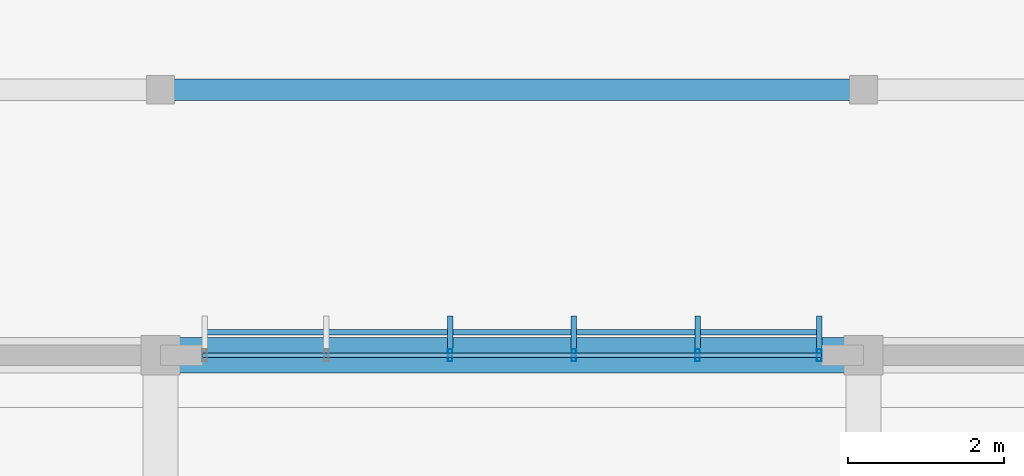
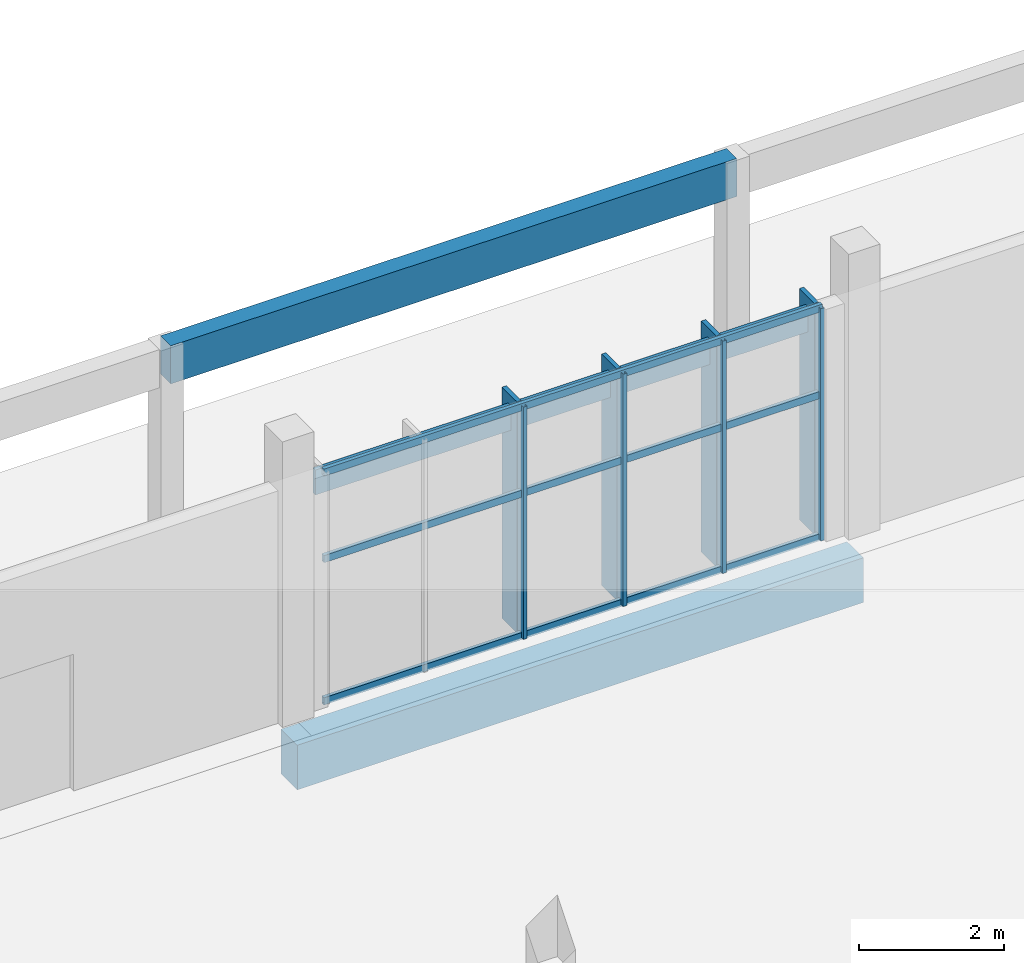
# One storey, part 41 of 151: 12 members, 2 beams, 1 element without a shape of its own.
"""IFC4 building model written with IfcOpenShell, lengths in metres."""

from ifc_helpers import new_model, si_unit, direction, frame, origin, origin_2d, place, context, subcontext, project, spatial, rectangle, hollow_rectangle, extrude, material, material_profile, profile_set, type_object, element, aggregate, save


model = new_model("IFC4")

# Units and contexts
model_context = context("Model", 3, precision=1e-05, world=origin(), true_north=direction((0.0, 1.0)))
body_context = subcontext(model_context, "Body", "Model", "MODEL_VIEW")
ifc_project = project(units=[si_unit("LENGTHUNIT", "METRE"), si_unit("AREAUNIT", "SQUARE_METRE"), si_unit("VOLUMEUNIT", "CUBIC_METRE"), si_unit("PLANEANGLEUNIT", "RADIAN"), si_unit("MASSUNIT", "GRAM", prefix="KILO")], contexts=[model_context])

# Site, building, storey
site_placement = place(None, origin())
site = spatial("IfcSite", under=ifc_project, at=site_placement, CompositionType="ELEMENT")
building_placement = place(site_placement, origin())
building = spatial("IfcBuilding", under=site, at=building_placement, Name="Chiffa Square Polytechnic", CompositionType="ELEMENT")
storey_placement = place(building_placement, origin())
storey = spatial("IfcBuildingStorey", under=building, at=storey_placement, Name="L00", CompositionType="ELEMENT", Elevation=0.0)

# Curtain wall, members
ifc_material_1 = material(Name="Aluminium EN AW-6060 T66 and glulam shading", Category="wood")
curtain_wall_type = type_object("IfcCurtainWallType", Name="CW-VERT-360X380", PredefinedType="USERDEFINED", material=ifc_material_1)
curtain_wall_placement = place(storey_placement, origin())
curtain_wall = element("IfcCurtainWall", 1, at=curtain_wall_placement, inside=storey, type_object=curtain_wall_type, Name="Curtain wall CW-V4-L00-181", ObjectType="CURTAIN WALL", PredefinedType="USERDEFINED")
ifc_material_2 = material(Name="Aluminium EN AW-6060 T66", Category="aluminium")
ifc_material_profile_1 = material_profile(ifc_material_2, hollow_rectangle(XDim=0.06005859375, YDim=0.159912109375, WallThickness=0.00390625, at=origin_2d()), Name="ALU 60x160x4")
ifc_profile_set_1 = profile_set([ifc_material_profile_1], Name="Aluminium EN AW-6060 T66")
member_type_1 = type_object("IfcMemberType", Name="CWM-ALU-65X150", PredefinedType="MULLION", material=ifc_profile_set_1)
member_1_placement = place(storey_placement, frame((84.034912109375, 51.0, 0.0), z_axis=(0.0, 0.0, 1.0), x_axis=(1.0, 0.0, 0.0)))
member_1 = element("IfcMember", 2, at=member_1_placement, type_object=member_type_1, Name="Curtain wall mullion CW-V4-L00-181-M00", PredefinedType="MULLION", context=body_context, shape_type="SweptSolid", body=[
    extrude(hollow_rectangle(XDim=0.06005859375, YDim=0.159912109375, WallThickness=0.00390625, at=origin_2d()), origin(), (0.0, 0.0, 1.0), 3.905029296875),
])
member_2_placement = place(storey_placement, frame((82.47607421875, 51.0, 0.0), z_axis=(0.0, 0.0, 1.0), x_axis=(1.0, 0.0, 0.0)))
member_2 = element("IfcMember", 3, at=member_2_placement, type_object=member_type_1, Name="Curtain wall mullion CW-V4-L00-181-M01", PredefinedType="MULLION", context=body_context, shape_type="SweptSolid", body=[
    extrude(hollow_rectangle(XDim=0.06005859375, YDim=0.159912109375, WallThickness=0.00390625, at=origin_2d()), origin(), (0.0, 0.0, 1.0), 3.905029296875),
])
member_3_placement = place(storey_placement, frame((80.89208984375, 51.0, 0.0), z_axis=(0.0, 0.0, 1.0), x_axis=(1.0, 0.0, 0.0)))
member_3 = element("IfcMember", 4, at=member_3_placement, type_object=member_type_1, Name="Curtain wall mullion CW-V4-L00-181-M02", PredefinedType="MULLION", context=body_context, shape_type="SweptSolid", body=[
    extrude(hollow_rectangle(XDim=0.06005859375, YDim=0.159912109375, WallThickness=0.00390625, at=origin_2d()), origin(), (0.0, 0.0, 1.0), 3.905029296875),
])
member_4_placement = place(storey_placement, frame((79.30810546875, 51.0, 0.0), z_axis=(0.0, 0.0, 1.0), x_axis=(1.0, 0.0, 0.0)))
member_4 = element("IfcMember", 5, at=member_4_placement, type_object=member_type_1, Name="Curtain wall mullion CW-V4-L00-181-M03", PredefinedType="MULLION", context=body_context, shape_type="SweptSolid", body=[
    extrude(hollow_rectangle(XDim=0.06005859375, YDim=0.159912109375, WallThickness=0.00390625, at=origin_2d()), origin(), (0.0, 0.0, 1.0), 3.905029296875),
])
ifc_material_3 = material(Name="Glulam GL28h", Category="wood")
ifc_material_profile_2 = material_profile(ifc_material_3, rectangle(XDim=0.070068359375, YDim=0.419921875, at=origin_2d()), Name="GL28h 70x420")
ifc_profile_set_2 = profile_set([ifc_material_profile_2], Name="Glulam GL28h")
member_type_2 = type_object("IfcMemberType", Name="CWM-GL-70X420", PredefinedType="MULLION", material=ifc_profile_set_2)
member_5_placement = place(storey_placement, frame((84.034912109375, 51.2919921875, 0.010009765625), z_axis=(0.0, 0.0, 1.0), x_axis=(-1.0, 0.0, 0.0)))
member_5 = element("IfcMember", 6, at=member_5_placement, type_object=member_type_2, Name="Exterior glulam solar fin CW-V4-L00-181-FN00", PredefinedType="MULLION", context=body_context, shape_type="SweptSolid", body=[
    extrude(rectangle(XDim=0.070068359375, YDim=0.419921875, at=origin_2d()), origin(), (0.0, 0.0, 1.0), 3.885009765625),
])
member_6_placement = place(storey_placement, frame((82.47607421875, 51.2919921875, 0.010009765625), z_axis=(0.0, 0.0, 1.0), x_axis=(-1.0, 0.0, 0.0)))
member_6 = element("IfcMember", 7, at=member_6_placement, type_object=member_type_2, Name="Exterior glulam solar fin CW-V4-L00-181-FN01", PredefinedType="MULLION", context=body_context, shape_type="SweptSolid", body=[
    extrude(rectangle(XDim=0.070068359375, YDim=0.419921875, at=origin_2d()), origin(), (0.0, 0.0, 1.0), 3.885009765625),
])
member_7_placement = place(storey_placement, frame((80.89208984375, 51.2919921875, 0.010009765625), z_axis=(0.0, 0.0, 1.0), x_axis=(-1.0, 0.0, 0.0)))
member_7 = element("IfcMember", 8, at=member_7_placement, type_object=member_type_2, Name="Exterior glulam solar fin CW-V4-L00-181-FN02", PredefinedType="MULLION", context=body_context, shape_type="SweptSolid", body=[
    extrude(rectangle(XDim=0.070068359375, YDim=0.419921875, at=origin_2d()), origin(), (0.0, 0.0, 1.0), 3.885009765625),
])
member_8_placement = place(storey_placement, frame((79.30810546875, 51.2919921875, 0.010009765625), z_axis=(0.0, 0.0, 1.0), x_axis=(-1.0, 0.0, 0.0)))
member_8 = element("IfcMember", 9, at=member_8_placement, type_object=member_type_2, Name="Exterior glulam solar fin CW-V4-L00-181-FN03", PredefinedType="MULLION", context=body_context, shape_type="SweptSolid", body=[
    extrude(rectangle(XDim=0.070068359375, YDim=0.419921875, at=origin_2d()), origin(), (0.0, 0.0, 1.0), 3.885009765625),
])
ifc_material_profile_3 = material_profile(ifc_material_2, hollow_rectangle(XDim=0.06005859375, YDim=0.1201171875, WallThickness=0.00390625, at=origin_2d()), Name="ALU 60x120x4")
ifc_profile_set_3 = profile_set([ifc_material_profile_3], Name="Aluminium EN AW-6060 T66")
member_type_3 = type_object("IfcMemberType", Name="CWT-ALU-65X120", PredefinedType="USERDEFINED", material=ifc_profile_set_3)
member_9_placement = place(storey_placement, frame((84.06201171875, 51.0, 0.030029296875), z_axis=(-1.0, 0.0, 0.0), x_axis=(0.0, -1.0, 0.0)))
member_9 = element("IfcMember", 10, at=member_9_placement, type_object=member_type_3, Name="Curtain wall transom CW-V4-L00-181-T01", ObjectType="TRANSOM", PredefinedType="USERDEFINED", context=body_context, shape_type="SweptSolid", body=[
    extrude(hollow_rectangle(XDim=0.06005859375, YDim=0.1201171875, WallThickness=0.00390625, at=origin_2d()), origin(), (0.0, 0.0, 1.0), 7.924072265625),
])
member_10_placement = place(storey_placement, frame((84.06201171875, 51.0, 2.4208984375), z_axis=(-1.0, 0.0, 0.0), x_axis=(0.0, -1.0, 0.0)))
member_10 = element("IfcMember", 11, at=member_10_placement, type_object=member_type_3, Name="Curtain wall transom CW-V4-L00-181-T02", ObjectType="TRANSOM", PredefinedType="USERDEFINED", context=body_context, shape_type="SweptSolid", body=[
    extrude(hollow_rectangle(XDim=0.06005859375, YDim=0.1201171875, WallThickness=0.00390625, at=origin_2d()), origin(), (0.0, 0.0, 1.0), 7.924072265625),
])
member_11_placement = place(storey_placement, frame((84.06201171875, 51.0, 3.875), z_axis=(-1.0, 0.0, 0.0), x_axis=(0.0, -1.0, 0.0)))
member_11 = element("IfcMember", 12, at=member_11_placement, type_object=member_type_3, Name="Curtain wall transom CW-V4-L00-181-T03", ObjectType="TRANSOM", PredefinedType="USERDEFINED", context=body_context, shape_type="SweptSolid", body=[
    extrude(hollow_rectangle(XDim=0.06005859375, YDim=0.1201171875, WallThickness=0.00390625, at=origin_2d()), origin(), (0.0, 0.0, 1.0), 7.924072265625),
])
ifc_material_profile_4 = material_profile(ifc_material_3, rectangle(XDim=0.070068359375, YDim=0.419921875, at=origin_2d()), Name="GL28h 70x420")
ifc_profile_set_4 = profile_set([ifc_material_profile_4], Name="Glulam GL28h")
member_type_4 = type_object("IfcMemberType", Name="CWT-GL-70X420", PredefinedType="USERDEFINED", material=ifc_profile_set_4)
member_12_placement = place(storey_placement, frame((84.034912109375, 51.2919921875, 3.52490234375), z_axis=(-1.0, 0.0, 0.0), x_axis=(0.0, -1.0, 0.0)))
member_12 = element("IfcMember", 13, at=member_12_placement, type_object=member_type_4, Name="Exterior glulam brise-soleil CW-V4-L00-181-BS01", ObjectType="TRANSOM", PredefinedType="USERDEFINED", context=body_context, shape_type="SweptSolid", body=[
    extrude(rectangle(XDim=0.070068359375, YDim=0.419921875, at=origin_2d()), origin(), (0.0, 0.0, 1.0), 7.869873046875),
])
aggregate(curtain_wall, [member_1, member_5, member_2, member_6, member_3, member_7, member_4, member_8, member_9, member_10, member_11, member_12])

# Beams
ifc_material_4 = material(Name="Concrete C35/45", Category="concrete")
ifc_material_profile_5 = material_profile(ifc_material_4, rectangle(XDim=0.449951171875, YDim=0.75, at=origin_2d()), Name="RC 450x750")
ifc_profile_set_5 = profile_set([ifc_material_profile_5], Name="Concrete C35/45")
beam_type_1 = type_object("IfcBeamType", Name="GB-RC-450X750", PredefinedType="BEAM", material=ifc_profile_set_5)
beam_1_placement = place(storey_placement, frame((75.60009765625, 51.0, -0.77490234375), z_axis=(1.0, 0.0, 0.0), x_axis=(0.0, 1.0, 0.0)))
element("IfcBeam", 14, at=beam_1_placement, inside=storey, type_object=beam_type_1, Name="Ground tie beam GB-V4-X-117", PredefinedType="BEAM", context=body_context, shape_type="SweptSolid", body=[
    extrude(rectangle(XDim=0.449951171875, YDim=0.75, at=origin_2d()), origin(), (0.0, 0.0, 1.0), 9.0),
])
ifc_material_profile_6 = material_profile(ifc_material_3, rectangle(XDim=0.280029296875, YDim=0.639892578125, at=origin_2d()), Name="GL28h 280x640")
ifc_profile_set_6 = profile_set([ifc_material_profile_6], Name="Glulam GL28h")
beam_type_2 = type_object("IfcBeamType", Name="RB-GL-280X640", PredefinedType="SPANDREL", material=ifc_profile_set_6)
beam_2_placement = place(storey_placement, frame((75.60009765625, 54.39990234375, 3.8798828125), z_axis=(1.0, 0.0, 0.0), x_axis=(0.0, 1.0, 0.0)))
element("IfcBeam", 15, at=beam_2_placement, inside=storey, type_object=beam_type_2, Name="Courtyard pergola beam RB-CY-L00-03", PredefinedType="SPANDREL", context=body_context, shape_type="SweptSolid", body=[
    extrude(rectangle(XDim=0.280029296875, YDim=0.639892578125, at=origin_2d()), origin(), (0.0, 0.0, 1.0), 9.0),
])

save(model, "model.ifc")
